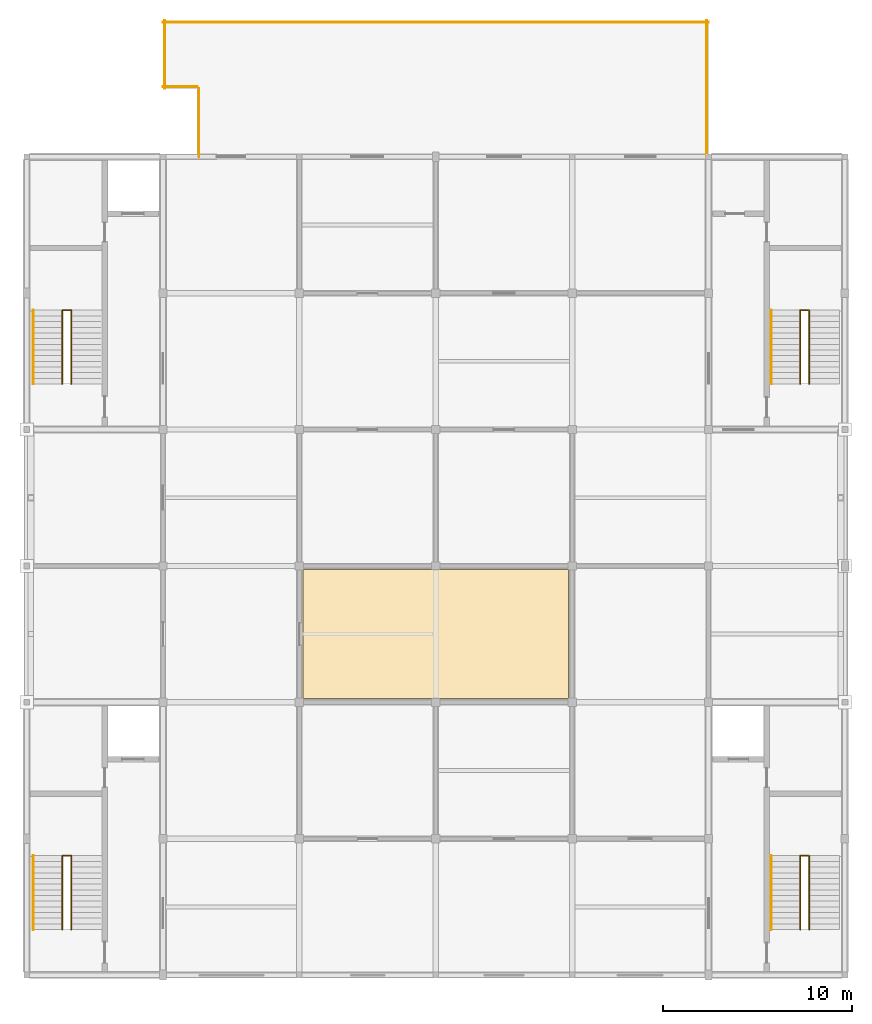
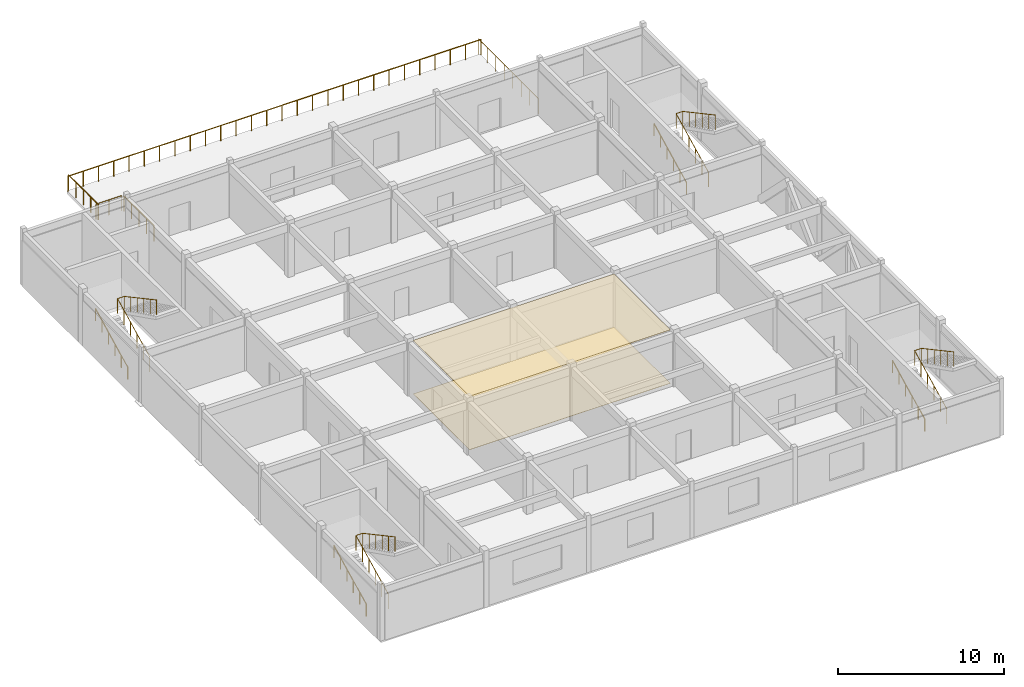
# One storey, part 6 of 6: 13 railings, 2 coverings.
"""IFC4 building model written with IfcOpenShell, lengths in metres."""

from ifc_helpers import new_model, si_unit, direction, frame, origin, origin_2d, place, context, subcontext, project, spatial, polyline, circle, outline, extrude, material, layer, layer_set, type_object, element, save


model = new_model("IFC4")

# Units and contexts
model_context = context("Model", 3, precision=1e-05, world=origin(), true_north=direction((0.0, 1.0)))
body_context = subcontext(model_context, "Body", "Model", "MODEL_VIEW")
ifc_project = project(units=[si_unit("LENGTHUNIT", "METRE"), si_unit("AREAUNIT", "SQUARE_METRE"), si_unit("VOLUMEUNIT", "CUBIC_METRE"), si_unit("PLANEANGLEUNIT", "RADIAN"), si_unit("MASSUNIT", "GRAM", prefix="KILO")], contexts=[model_context])

# Site, building, storey
site_placement = place(None, origin())
site = spatial("IfcSite", under=ifc_project, at=site_placement, CompositionType="ELEMENT")
building_placement = place(site_placement, origin())
building = spatial("IfcBuilding", under=site, at=building_placement, Name="Cendaluz Park School", CompositionType="ELEMENT")
storey_placement = place(building_placement, frame((0.0, 0.0, 63.0)))
storey = spatial("IfcBuildingStorey", under=building, at=storey_placement, Name="L15", CompositionType="ELEMENT", Elevation=63.0)

# Coverings
ifc_material_1 = material(Name="Mineral Fibre Acoustic Tile")
ifc_layer_1 = layer(ifc_material_1, 0.030029296875)
ifc_layer_set_1 = layer_set([ifc_layer_1], Name="Mineral Fibre Acoustic Tile")
covering_type_1 = type_object("IfcCoveringType", Name="CV-CLG01", PredefinedType="CEILING", material=ifc_layer_set_1)
covering_1_placement = place(storey_placement, frame((0.0, 0.0, 3.929931640625)))
element("IfcCovering", 1, at=covering_1_placement, inside=storey, type_object=covering_type_1, Name="CV-CLG-L15-01", PredefinedType="CEILING", context=body_context, shape_type="SweptSolid", body=[
    extrude(outline(polyline([(79.39990234375, 29.0), (93.39990234375, 29.0), (93.39990234375, 35.800048828125), (79.39990234375, 35.800048828125), (79.39990234375, 29.0)])), origin(), (0.0, 0.0, 1.0), 0.030029296875),
])
ifc_material_2 = material(Name="Polished Terrazzo Tile")
ifc_layer_2 = layer(ifc_material_2, 0.02001953125)
ifc_layer_set_2 = layer_set([ifc_layer_2], Name="Polished Terrazzo Tile")
covering_type_2 = type_object("IfcCoveringType", Name="CV-FLR01", PredefinedType="FLOORING", material=ifc_layer_set_2)
covering_2_placement = place(storey_placement, origin())
element("IfcCovering", 2, at=covering_2_placement, inside=storey, type_object=covering_type_2, Name="CV-FLR-L15-01", PredefinedType="FLOORING", context=body_context, shape_type="SweptSolid", body=[
    extrude(outline(polyline([(79.39990234375, 29.0), (93.39990234375, 29.0), (93.39990234375, 35.800048828125), (79.39990234375, 35.800048828125), (79.39990234375, 29.0)])), origin(), (0.0, 0.0, 1.0), 0.02001953125),
])

# Railings
ifc_material_3 = material(Name="Wrought Iron")
railing_type_1 = type_object("IfcRailingType", Name="GR-PD01", PredefinedType="BALUSTRADE", material=ifc_material_3)
railing_1_placement = place(storey_placement, frame((100.699951171875, 64.800048828125, 0.0)))
element("IfcRailing", 3, at=railing_1_placement, inside=storey, type_object=railing_type_1, Name="GR-PD-L15-026", PredefinedType="BALUSTRADE", context=body_context, shape_type="SweptSolid", body=[
    extrude(circle(Radius=0.02392578125, at=origin_2d()), frame((0.0, 0.0, 1.1259765625), z_axis=(0.0, -1.0, 0.0), x_axis=(1.0, 0.0, 0.0)), (0.0, 0.0, 1.0), 7.199951171875),
    extrude(circle(Radius=0.02099609375, at=origin_2d()), origin(), (0.0, 0.0, 1.0), 1.101806640625),
    extrude(circle(Radius=0.02099609375, at=origin_2d()), frame((0.0, -1.028564453125, 0.0)), (0.0, 0.0, 1.0), 1.101806640625),
    extrude(circle(Radius=0.02099609375, at=origin_2d()), frame((0.0, -2.05712890625, 0.0)), (0.0, 0.0, 1.0), 1.101806640625),
    extrude(circle(Radius=0.02099609375, at=origin_2d()), frame((0.0, -3.085693359375, 0.0)), (0.0, 0.0, 1.0), 1.101806640625),
    extrude(circle(Radius=0.02099609375, at=origin_2d()), frame((0.0, -4.1142578125, 0.0)), (0.0, 0.0, 1.0), 1.101806640625),
    extrude(circle(Radius=0.02099609375, at=origin_2d()), frame((0.0, -5.142822265625, 0.0)), (0.0, 0.0, 1.0), 1.101806640625),
    extrude(circle(Radius=0.02099609375, at=origin_2d()), frame((0.0, -6.17138671875, 0.0)), (0.0, 0.0, 1.0), 1.101806640625),
    extrude(circle(Radius=0.02099609375, at=origin_2d()), frame((0.0, -7.199951171875, 0.0)), (0.0, 0.0, 1.0), 1.101806640625),
])
railing_2_placement = place(storey_placement, frame((73.89990234375, 57.60009765625, 0.0)))
element("IfcRailing", 4, at=railing_2_placement, inside=storey, type_object=railing_type_1, Name="GR-PD-L15-027", PredefinedType="BALUSTRADE", context=body_context, shape_type="SweptSolid", body=[
    extrude(circle(Radius=0.02392578125, at=origin_2d()), frame((0.0, 0.0, 1.1259765625), z_axis=(0.0, 1.0, 0.0), x_axis=(-1.0, 0.0, 0.0)), (0.0, 0.0, 1.0), 3.599853515625),
    extrude(circle(Radius=0.02099609375, at=origin_2d()), origin(), (0.0, 0.0, 1.0), 1.101806640625),
    extrude(circle(Radius=0.02099609375, at=origin_2d()), frame((0.0, 0.89990234375, 0.0)), (0.0, 0.0, 1.0), 1.101806640625),
    extrude(circle(Radius=0.02099609375, at=origin_2d()), frame((0.0, 1.7998046875, 0.0)), (0.0, 0.0, 1.0), 1.101806640625),
    extrude(circle(Radius=0.02099609375, at=origin_2d()), frame((0.0, 2.699951171875, 0.0)), (0.0, 0.0, 1.0), 1.101806640625),
    extrude(circle(Radius=0.02099609375, at=origin_2d()), frame((0.0, 3.599853515625, 0.0)), (0.0, 0.0, 1.0), 1.101806640625),
])
railing_3_placement = place(storey_placement, frame((73.800048828125, 61.300048828125, 0.0)))
element("IfcRailing", 5, at=railing_3_placement, inside=storey, type_object=railing_type_1, Name="GR-PD-L15-028", PredefinedType="BALUSTRADE", context=body_context, shape_type="SweptSolid", body=[
    extrude(circle(Radius=0.02392578125, at=origin_2d()), frame((0.0, 0.0, 1.1259765625), z_axis=(-1.0, 0.0, 0.0), x_axis=(0.0, -1.0, 0.0)), (0.0, 0.0, 1.0), 1.800048828125),
    extrude(circle(Radius=0.02099609375, at=origin_2d()), origin(), (0.0, 0.0, 1.0), 1.101806640625),
    extrude(circle(Radius=0.02099609375, at=origin_2d()), frame((-0.89990234375, 0.0, 0.0)), (0.0, 0.0, 1.0), 1.101806640625),
    extrude(circle(Radius=0.02099609375, at=origin_2d()), frame((-1.800048828125, 0.0, 0.0)), (0.0, 0.0, 1.0), 1.101806640625),
])
railing_4_placement = place(storey_placement, frame((72.10009765625, 61.199951171875, 0.0)))
element("IfcRailing", 6, at=railing_4_placement, inside=storey, type_object=railing_type_1, Name="GR-PD-L15-029", PredefinedType="BALUSTRADE", context=body_context, shape_type="SweptSolid", body=[
    extrude(circle(Radius=0.02392578125, at=origin_2d()), frame((0.0, 0.0, 1.1259765625), z_axis=(0.0, 1.0, 0.0), x_axis=(-1.0, 0.0, 0.0)), (0.0, 0.0, 1.0), 3.60009765625),
    extrude(circle(Radius=0.02099609375, at=origin_2d()), origin(), (0.0, 0.0, 1.0), 1.101806640625),
    extrude(circle(Radius=0.02099609375, at=origin_2d()), frame((0.0, 0.89990234375, 0.0)), (0.0, 0.0, 1.0), 1.101806640625),
    extrude(circle(Radius=0.02099609375, at=origin_2d()), frame((0.0, 1.800048828125, 0.0)), (0.0, 0.0, 1.0), 1.101806640625),
    extrude(circle(Radius=0.02099609375, at=origin_2d()), frame((0.0, 2.7001953125, 0.0)), (0.0, 0.0, 1.0), 1.101806640625),
    extrude(circle(Radius=0.02099609375, at=origin_2d()), frame((0.0, 3.60009765625, 0.0)), (0.0, 0.0, 1.0), 1.101806640625),
])
railing_5_placement = place(storey_placement, frame((72.0, 64.699951171875, 0.0)))
element("IfcRailing", 7, at=railing_5_placement, inside=storey, type_object=railing_type_1, Name="GR-PD-L15-030", PredefinedType="BALUSTRADE", context=body_context, shape_type="SweptSolid", body=[
    extrude(circle(Radius=0.02392578125, at=origin_2d()), frame((0.0, 0.0, 1.1259765625), z_axis=(1.0, 0.0, 0.0), x_axis=(0.0, 1.0, 0.0)), (0.0, 0.0, 1.0), 28.800048828125),
    extrude(circle(Radius=0.02099609375, at=origin_2d()), origin(), (0.0, 0.0, 1.0), 1.101806640625),
    extrude(circle(Radius=0.02099609375, at=origin_2d()), frame((1.066650390625, 0.0, 0.0)), (0.0, 0.0, 1.0), 1.101806640625),
    extrude(circle(Radius=0.02099609375, at=origin_2d()), frame((2.13330078125, 0.0, 0.0)), (0.0, 0.0, 1.0), 1.101806640625),
    extrude(circle(Radius=0.02099609375, at=origin_2d()), frame((3.199951171875, 0.0, 0.0)), (0.0, 0.0, 1.0), 1.101806640625),
    extrude(circle(Radius=0.02099609375, at=origin_2d()), frame((4.2666015625, 0.0, 0.0)), (0.0, 0.0, 1.0), 1.101806640625),
    extrude(circle(Radius=0.02099609375, at=origin_2d()), frame((5.333251953125, 0.0, 0.0)), (0.0, 0.0, 1.0), 1.101806640625),
    extrude(circle(Radius=0.02099609375, at=origin_2d()), frame((6.39990234375, 0.0, 0.0)), (0.0, 0.0, 1.0), 1.101806640625),
    extrude(circle(Radius=0.02099609375, at=origin_2d()), frame((7.466796875, 0.0, 0.0)), (0.0, 0.0, 1.0), 1.101806640625),
    extrude(circle(Radius=0.02099609375, at=origin_2d()), frame((8.533447265625, 0.0, 0.0)), (0.0, 0.0, 1.0), 1.101806640625),
    extrude(circle(Radius=0.02099609375, at=origin_2d()), frame((9.60009765625, 0.0, 0.0)), (0.0, 0.0, 1.0), 1.101806640625),
    extrude(circle(Radius=0.02099609375, at=origin_2d()), frame((10.666748046875, 0.0, 0.0)), (0.0, 0.0, 1.0), 1.101806640625),
    extrude(circle(Radius=0.02099609375, at=origin_2d()), frame((11.7333984375, 0.0, 0.0)), (0.0, 0.0, 1.0), 1.101806640625),
    extrude(circle(Radius=0.02099609375, at=origin_2d()), frame((12.800048828125, 0.0, 0.0)), (0.0, 0.0, 1.0), 1.101806640625),
    extrude(circle(Radius=0.02099609375, at=origin_2d()), frame((13.86669921875, 0.0, 0.0)), (0.0, 0.0, 1.0), 1.101806640625),
    extrude(circle(Radius=0.02099609375, at=origin_2d()), frame((14.933349609375, 0.0, 0.0)), (0.0, 0.0, 1.0), 1.101806640625),
    extrude(circle(Radius=0.02099609375, at=origin_2d()), frame((16.0, 0.0, 0.0)), (0.0, 0.0, 1.0), 1.101806640625),
    extrude(circle(Radius=0.02099609375, at=origin_2d()), frame((17.066650390625, 0.0, 0.0)), (0.0, 0.0, 1.0), 1.101806640625),
    extrude(circle(Radius=0.02099609375, at=origin_2d()), frame((18.13330078125, 0.0, 0.0)), (0.0, 0.0, 1.0), 1.101806640625),
    extrude(circle(Radius=0.02099609375, at=origin_2d()), frame((19.199951171875, 0.0, 0.0)), (0.0, 0.0, 1.0), 1.101806640625),
    extrude(circle(Radius=0.02099609375, at=origin_2d()), frame((20.2666015625, 0.0, 0.0)), (0.0, 0.0, 1.0), 1.101806640625),
    extrude(circle(Radius=0.02099609375, at=origin_2d()), frame((21.333251953125, 0.0, 0.0)), (0.0, 0.0, 1.0), 1.101806640625),
    extrude(circle(Radius=0.02099609375, at=origin_2d()), frame((22.400146484375, 0.0, 0.0)), (0.0, 0.0, 1.0), 1.101806640625),
    extrude(circle(Radius=0.02099609375, at=origin_2d()), frame((23.466796875, 0.0, 0.0)), (0.0, 0.0, 1.0), 1.101806640625),
    extrude(circle(Radius=0.02099609375, at=origin_2d()), frame((24.533447265625, 0.0, 0.0)), (0.0, 0.0, 1.0), 1.101806640625),
    extrude(circle(Radius=0.02099609375, at=origin_2d()), frame((25.60009765625, 0.0, 0.0)), (0.0, 0.0, 1.0), 1.101806640625),
    extrude(circle(Radius=0.02099609375, at=origin_2d()), frame((26.666748046875, 0.0, 0.0)), (0.0, 0.0, 1.0), 1.101806640625),
    extrude(circle(Radius=0.02099609375, at=origin_2d()), frame((27.7333984375, 0.0, 0.0)), (0.0, 0.0, 1.0), 1.101806640625),
    extrude(circle(Radius=0.02099609375, at=origin_2d()), frame((28.800048828125, 0.0, 0.0)), (0.0, 0.0, 1.0), 1.101806640625),
])
railing_type_2 = type_object("IfcRailingType", Name="GR-ST01", PredefinedType="BALUSTRADE", material=ifc_material_3)
railing_6_placement = place(storey_placement, frame((66.68994140625, 16.800048828125, 0.14990234375)))
element("IfcRailing", 8, at=railing_6_placement, inside=storey, type_object=railing_type_2, Name="GR-ST-033", PredefinedType="BALUSTRADE", context=body_context, shape_type="SweptSolid", body=[
    extrude(circle(Radius=0.02392578125, at=origin_2d()), frame((0.0, 0.0, 1.076171875), z_axis=(0.0, 0.894404793364, 0.447258387967), x_axis=(-1.0, 0.0, 0.0)), (0.0, 0.0, 1.0), 4.3603515625),
    extrude(circle(Radius=0.02392578125, at=origin_2d()), frame((0.0, 3.89990234375, 3.0263671875), z_axis=(1.0, 0.0, 0.0), x_axis=(0.0, 1.0, 0.0)), (0.0, 0.0, 1.0), 0.469970703125),
    extrude(circle(Radius=0.02392578125, at=origin_2d()), frame((0.469970703125, 3.89990234375, 3.0263671875), z_axis=(0.0, -0.88047994924, 0.474083388219), x_axis=(1.0, 0.0, 0.0)), (0.0, 0.0, 1.0), 4.42919921875),
    extrude(circle(Radius=0.02099609375, at=origin_2d()), origin(), (0.0, 0.0, 1.0), 1.052001953125),
    extrude(circle(Radius=0.02099609375, at=origin_2d()), frame((0.0, 0.780029296875, 0.39013671875)), (0.0, 0.0, 1.0), 1.052001953125),
    extrude(circle(Radius=0.02099609375, at=origin_2d()), frame((0.0, 1.56005859375, 0.780029296875)), (0.0, 0.0, 1.0), 1.052001953125),
    extrude(circle(Radius=0.02099609375, at=origin_2d()), frame((0.0, 2.33984375, 1.170166015625)), (0.0, 0.0, 1.0), 1.052001953125),
    extrude(circle(Radius=0.02099609375, at=origin_2d()), frame((0.0, 3.119873046875, 1.56005859375)), (0.0, 0.0, 1.0), 1.052001953125),
    extrude(circle(Radius=0.02099609375, at=origin_2d()), frame((0.0, 3.89990234375, 1.9501953125)), (0.0, 0.0, 1.0), 1.052001953125),
    extrude(circle(Radius=0.02099609375, at=origin_2d()), frame((0.469970703125, 3.89990234375, 1.9501953125)), (0.0, 0.0, 1.0), 1.052001953125),
    extrude(circle(Radius=0.02099609375, at=origin_2d()), frame((0.469970703125, 3.119873046875, 2.3701171875)), (0.0, 0.0, 1.0), 1.052001953125),
    extrude(circle(Radius=0.02099609375, at=origin_2d()), frame((0.469970703125, 2.33984375, 2.7900390625)), (0.0, 0.0, 1.0), 1.052001953125),
    extrude(circle(Radius=0.02099609375, at=origin_2d()), frame((0.469970703125, 1.56005859375, 3.210205078125)), (0.0, 0.0, 1.0), 1.052001953125),
    extrude(circle(Radius=0.02099609375, at=origin_2d()), frame((0.469970703125, 0.780029296875, 3.630126953125)), (0.0, 0.0, 1.0), 1.052001953125),
    extrude(circle(Radius=0.02099609375, at=origin_2d()), frame((0.469970703125, 0.0, 4.050048828125)), (0.0, 0.0, 1.0), 1.052001953125),
])
railing_7_placement = place(storey_placement, frame((105.639892578125, 16.800048828125, 0.14990234375)))
element("IfcRailing", 9, at=railing_7_placement, inside=storey, type_object=railing_type_2, Name="GR-ST-068", PredefinedType="BALUSTRADE", context=body_context, shape_type="SweptSolid", body=[
    extrude(circle(Radius=0.02392578125, at=origin_2d()), frame((0.0, 0.0, 1.076171875), z_axis=(0.0, 0.894404793364, 0.447258387967), x_axis=(-1.0, 0.0, 0.0)), (0.0, 0.0, 1.0), 4.3603515625),
    extrude(circle(Radius=0.02392578125, at=origin_2d()), frame((0.0, 3.89990234375, 3.0263671875), z_axis=(1.0, 0.0, 0.0), x_axis=(0.0, 1.0, 0.0)), (0.0, 0.0, 1.0), 0.47021484375),
    extrude(circle(Radius=0.02392578125, at=origin_2d()), frame((0.47021484375, 3.89990234375, 3.0263671875), z_axis=(0.0, -0.88047994924, 0.474083388219), x_axis=(1.0, 0.0, 0.0)), (0.0, 0.0, 1.0), 4.42919921875),
    extrude(circle(Radius=0.02099609375, at=origin_2d()), origin(), (0.0, 0.0, 1.0), 1.052001953125),
    extrude(circle(Radius=0.02099609375, at=origin_2d()), frame((0.0, 0.780029296875, 0.39013671875)), (0.0, 0.0, 1.0), 1.052001953125),
    extrude(circle(Radius=0.02099609375, at=origin_2d()), frame((0.0, 1.56005859375, 0.780029296875)), (0.0, 0.0, 1.0), 1.052001953125),
    extrude(circle(Radius=0.02099609375, at=origin_2d()), frame((0.0, 2.33984375, 1.170166015625)), (0.0, 0.0, 1.0), 1.052001953125),
    extrude(circle(Radius=0.02099609375, at=origin_2d()), frame((0.0, 3.119873046875, 1.56005859375)), (0.0, 0.0, 1.0), 1.052001953125),
    extrude(circle(Radius=0.02099609375, at=origin_2d()), frame((0.0, 3.89990234375, 1.9501953125)), (0.0, 0.0, 1.0), 1.052001953125),
    extrude(circle(Radius=0.02099609375, at=origin_2d()), frame((0.47021484375, 3.89990234375, 1.9501953125)), (0.0, 0.0, 1.0), 1.052001953125),
    extrude(circle(Radius=0.02099609375, at=origin_2d()), frame((0.47021484375, 3.119873046875, 2.3701171875)), (0.0, 0.0, 1.0), 1.052001953125),
    extrude(circle(Radius=0.02099609375, at=origin_2d()), frame((0.47021484375, 2.33984375, 2.7900390625)), (0.0, 0.0, 1.0), 1.052001953125),
    extrude(circle(Radius=0.02099609375, at=origin_2d()), frame((0.47021484375, 1.56005859375, 3.210205078125)), (0.0, 0.0, 1.0), 1.052001953125),
    extrude(circle(Radius=0.02099609375, at=origin_2d()), frame((0.47021484375, 0.780029296875, 3.630126953125)), (0.0, 0.0, 1.0), 1.052001953125),
    extrude(circle(Radius=0.02099609375, at=origin_2d()), frame((0.47021484375, 0.0, 4.050048828125)), (0.0, 0.0, 1.0), 1.052001953125),
])
railing_8_placement = place(storey_placement, frame((66.68994140625, 45.60009765625, 0.14990234375)))
element("IfcRailing", 10, at=railing_8_placement, inside=storey, type_object=railing_type_2, Name="GR-ST-103", PredefinedType="BALUSTRADE", context=body_context, shape_type="SweptSolid", body=[
    extrude(circle(Radius=0.02392578125, at=origin_2d()), frame((0.0, 0.0, 1.076171875), z_axis=(0.0, 0.894404793364, 0.447258387967), x_axis=(-1.0, 0.0, 0.0)), (0.0, 0.0, 1.0), 4.3603515625),
    extrude(circle(Radius=0.02392578125, at=origin_2d()), frame((0.0, 3.89990234375, 3.0263671875), z_axis=(1.0, 0.0, 0.0), x_axis=(0.0, 1.0, 0.0)), (0.0, 0.0, 1.0), 0.469970703125),
    extrude(circle(Radius=0.02392578125, at=origin_2d()), frame((0.469970703125, 3.89990234375, 3.0263671875), z_axis=(0.0, -0.88047994924, 0.474083388219), x_axis=(1.0, 0.0, 0.0)), (0.0, 0.0, 1.0), 4.42919921875),
    extrude(circle(Radius=0.02099609375, at=origin_2d()), origin(), (0.0, 0.0, 1.0), 1.052001953125),
    extrude(circle(Radius=0.02099609375, at=origin_2d()), frame((0.0, 0.780029296875, 0.39013671875)), (0.0, 0.0, 1.0), 1.052001953125),
    extrude(circle(Radius=0.02099609375, at=origin_2d()), frame((0.0, 1.56005859375, 0.780029296875)), (0.0, 0.0, 1.0), 1.052001953125),
    extrude(circle(Radius=0.02099609375, at=origin_2d()), frame((0.0, 2.33984375, 1.170166015625)), (0.0, 0.0, 1.0), 1.052001953125),
    extrude(circle(Radius=0.02099609375, at=origin_2d()), frame((0.0, 3.119873046875, 1.56005859375)), (0.0, 0.0, 1.0), 1.052001953125),
    extrude(circle(Radius=0.02099609375, at=origin_2d()), frame((0.0, 3.89990234375, 1.9501953125)), (0.0, 0.0, 1.0), 1.052001953125),
    extrude(circle(Radius=0.02099609375, at=origin_2d()), frame((0.469970703125, 3.89990234375, 1.9501953125)), (0.0, 0.0, 1.0), 1.052001953125),
    extrude(circle(Radius=0.02099609375, at=origin_2d()), frame((0.469970703125, 3.119873046875, 2.3701171875)), (0.0, 0.0, 1.0), 1.052001953125),
    extrude(circle(Radius=0.02099609375, at=origin_2d()), frame((0.469970703125, 2.33984375, 2.7900390625)), (0.0, 0.0, 1.0), 1.052001953125),
    extrude(circle(Radius=0.02099609375, at=origin_2d()), frame((0.469970703125, 1.56005859375, 3.210205078125)), (0.0, 0.0, 1.0), 1.052001953125),
    extrude(circle(Radius=0.02099609375, at=origin_2d()), frame((0.469970703125, 0.780029296875, 3.630126953125)), (0.0, 0.0, 1.0), 1.052001953125),
    extrude(circle(Radius=0.02099609375, at=origin_2d()), frame((0.469970703125, 0.0, 4.050048828125)), (0.0, 0.0, 1.0), 1.052001953125),
])
railing_9_placement = place(storey_placement, frame((105.639892578125, 45.60009765625, 0.14990234375)))
element("IfcRailing", 11, at=railing_9_placement, inside=storey, type_object=railing_type_2, Name="GR-ST-138", PredefinedType="BALUSTRADE", context=body_context, shape_type="SweptSolid", body=[
    extrude(circle(Radius=0.02392578125, at=origin_2d()), frame((0.0, 0.0, 1.076171875), z_axis=(0.0, 0.894404793364, 0.447258387967), x_axis=(-1.0, 0.0, 0.0)), (0.0, 0.0, 1.0), 4.3603515625),
    extrude(circle(Radius=0.02392578125, at=origin_2d()), frame((0.0, 3.89990234375, 3.0263671875), z_axis=(1.0, 0.0, 0.0), x_axis=(0.0, 1.0, 0.0)), (0.0, 0.0, 1.0), 0.47021484375),
    extrude(circle(Radius=0.02392578125, at=origin_2d()), frame((0.47021484375, 3.89990234375, 3.0263671875), z_axis=(0.0, -0.88047994924, 0.474083388219), x_axis=(1.0, 0.0, 0.0)), (0.0, 0.0, 1.0), 4.42919921875),
    extrude(circle(Radius=0.02099609375, at=origin_2d()), origin(), (0.0, 0.0, 1.0), 1.052001953125),
    extrude(circle(Radius=0.02099609375, at=origin_2d()), frame((0.0, 0.780029296875, 0.39013671875)), (0.0, 0.0, 1.0), 1.052001953125),
    extrude(circle(Radius=0.02099609375, at=origin_2d()), frame((0.0, 1.56005859375, 0.780029296875)), (0.0, 0.0, 1.0), 1.052001953125),
    extrude(circle(Radius=0.02099609375, at=origin_2d()), frame((0.0, 2.33984375, 1.170166015625)), (0.0, 0.0, 1.0), 1.052001953125),
    extrude(circle(Radius=0.02099609375, at=origin_2d()), frame((0.0, 3.119873046875, 1.56005859375)), (0.0, 0.0, 1.0), 1.052001953125),
    extrude(circle(Radius=0.02099609375, at=origin_2d()), frame((0.0, 3.89990234375, 1.9501953125)), (0.0, 0.0, 1.0), 1.052001953125),
    extrude(circle(Radius=0.02099609375, at=origin_2d()), frame((0.47021484375, 3.89990234375, 1.9501953125)), (0.0, 0.0, 1.0), 1.052001953125),
    extrude(circle(Radius=0.02099609375, at=origin_2d()), frame((0.47021484375, 3.119873046875, 2.3701171875)), (0.0, 0.0, 1.0), 1.052001953125),
    extrude(circle(Radius=0.02099609375, at=origin_2d()), frame((0.47021484375, 2.33984375, 2.7900390625)), (0.0, 0.0, 1.0), 1.052001953125),
    extrude(circle(Radius=0.02099609375, at=origin_2d()), frame((0.47021484375, 1.56005859375, 3.210205078125)), (0.0, 0.0, 1.0), 1.052001953125),
    extrude(circle(Radius=0.02099609375, at=origin_2d()), frame((0.47021484375, 0.780029296875, 3.630126953125)), (0.0, 0.0, 1.0), 1.052001953125),
    extrude(circle(Radius=0.02099609375, at=origin_2d()), frame((0.47021484375, 0.0, 4.050048828125)), (0.0, 0.0, 1.0), 1.052001953125),
])
ifc_material_4 = material(Name="Architectural Bronze")
railing_type_3 = type_object("IfcRailingType", Name="HR-ST01", PredefinedType="HANDRAIL", material=ifc_material_4)
for number, where, name in (
    (12, (65.14990234375, 16.800048828125, 0.14990234375), "HR-ST-034"),
    (13, (104.10009765625, 16.800048828125, 0.14990234375), "HR-ST-069"),
    (14, (65.14990234375, 45.60009765625, 0.14990234375), "HR-ST-104"),
    (15, (104.10009765625, 45.60009765625, 0.14990234375), "HR-ST-139"),
):
    element("IfcRailing", number, at=place(storey_placement, frame(where)), inside=storey, type_object=railing_type_3, Name=name, PredefinedType="HANDRAIL", context=body_context, shape_type="SweptSolid", body=[
        extrude(circle(Radius=0.02392578125, at=origin_2d()), frame((0.0, 0.0, 0.8759765625), z_axis=(0.0, 0.894404793364, 0.447258387967), x_axis=(-1.0, 0.0, 0.0)), (0.0, 0.0, 1.0), 4.3603515625),
        extrude(circle(Radius=0.02099609375, at=origin_2d()), origin(), (0.0, 0.0, 1.0), 0.851806640625),
        extrude(circle(Radius=0.02099609375, at=origin_2d()), frame((0.0, 0.780029296875, 0.39013671875)), (0.0, 0.0, 1.0), 0.851806640625),
        extrude(circle(Radius=0.02099609375, at=origin_2d()), frame((0.0, 1.56005859375, 0.780029296875)), (0.0, 0.0, 1.0), 0.851806640625),
        extrude(circle(Radius=0.02099609375, at=origin_2d()), frame((0.0, 2.33984375, 1.170166015625)), (0.0, 0.0, 1.0), 0.851806640625),
        extrude(circle(Radius=0.02099609375, at=origin_2d()), frame((0.0, 3.119873046875, 1.56005859375)), (0.0, 0.0, 1.0), 0.851806640625),
        extrude(circle(Radius=0.02099609375, at=origin_2d()), frame((0.0, 3.89990234375, 1.9501953125)), (0.0, 0.0, 1.0), 0.851806640625),
    ])

save(model, "model.ifc")
